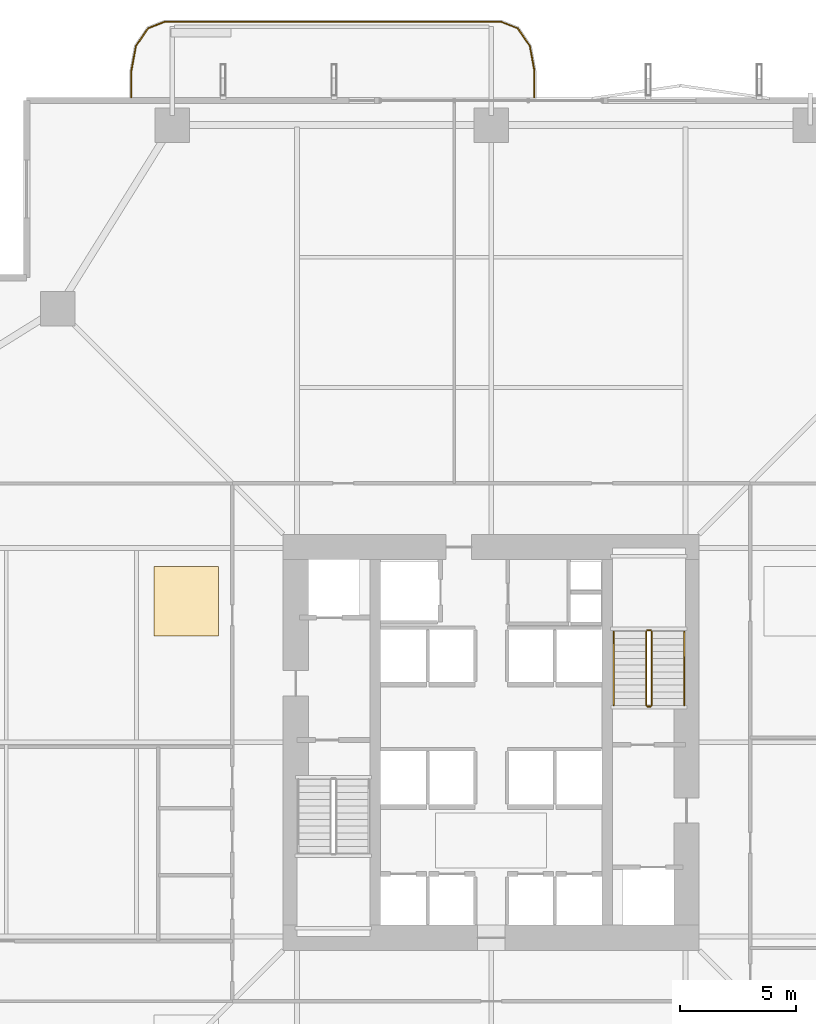
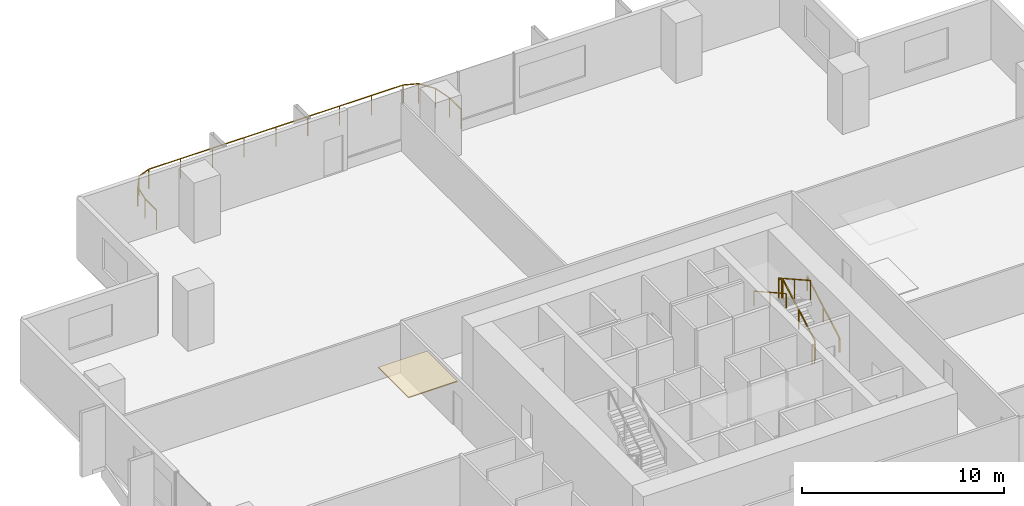
# One storey, part 22 of 23: 7 railings, 1 covering.
"""IFC4 building model written with IfcOpenShell, lengths in metres."""

from ifc_helpers import new_model, si_unit, direction, frame, origin, origin_2d, place, context, subcontext, project, spatial, polyline, rectangle, outline, extrude, material, layer, layer_set, type_object, element, save


model = new_model("IFC4")

# Units and contexts
model_context = context("Model", 3, precision=1e-05, world=origin(), true_north=direction((0.0, 1.0)))
body_context = subcontext(model_context, "Body", "Model", "MODEL_VIEW")
ifc_project = project(units=[si_unit("LENGTHUNIT", "METRE"), si_unit("AREAUNIT", "SQUARE_METRE"), si_unit("VOLUMEUNIT", "CUBIC_METRE"), si_unit("PLANEANGLEUNIT", "RADIAN"), si_unit("MASSUNIT", "GRAM", prefix="KILO")], contexts=[model_context])

# Site, building, storey
site_placement = place(None, origin())
site = spatial("IfcSite", under=ifc_project, at=site_placement, CompositionType="ELEMENT")
building_placement = place(site_placement, origin())
building = spatial("IfcBuilding", under=site, at=building_placement, Name="Belovzor Exchange Tower", CompositionType="ELEMENT")
storey_placement = place(building_placement, frame((0.0, 0.0, 84.60009765625)))
storey = spatial("IfcBuildingStorey", under=building, at=storey_placement, Name="L20", CompositionType="ELEMENT", Elevation=84.60009765625)

# Railings
ifc_material_1 = material(Name="Stainless Steel Grade 304", Category="steel")
railing_type_1 = type_object("IfcRailingType", Name="Brushed Stainless Steel Stair Handrail 900", PredefinedType="HANDRAIL", material=ifc_material_1)
railing_1_placement = place(storey_placement, frame((37.14990234375, 30.39990234375, 0.162353515625)))
element("IfcRailing", 1, at=railing_1_placement, inside=storey, type_object=railing_type_1, Name="L20 ST-2 stair handrail 1", PredefinedType="HANDRAIL", context=body_context, shape_type="SweptSolid", body=[
    extrude(rectangle(XDim=0.048095703125, YDim=0.048095703125, at=origin_2d()), frame((0.0, 0.0, 0.8759765625), z_axis=(0.0, 0.87237847985, 0.488831042279), x_axis=(-1.0, 0.0, 0.0)), (0.0, 0.0, 1.0), 3.656982421875),
    extrude(rectangle(XDim=0.0419921875, YDim=0.0419921875, at=origin_2d()), origin(), (0.0, 0.0, 1.0), 0.851806640625),
    extrude(rectangle(XDim=0.0419921875, YDim=0.0419921875, at=origin_2d()), frame((0.0, 1.59521484375, 0.893798828125)), (0.0, 0.0, 1.0), 0.851806640625),
    extrude(rectangle(XDim=0.0419921875, YDim=0.0419921875, at=origin_2d()), frame((0.0, 3.190185546875, 1.78759765625)), (0.0, 0.0, 1.0), 0.851806640625),
])
railing_2_placement = place(storey_placement, frame((34.10009765625, 33.590087890625, 2.1123046875)))
element("IfcRailing", 2, at=railing_2_placement, inside=storey, type_object=railing_type_1, Name="L20 ST-2 stair handrail 2", PredefinedType="HANDRAIL", context=body_context, shape_type="SweptSolid", body=[
    extrude(rectangle(XDim=0.048095703125, YDim=0.048095703125, at=origin_2d()), frame((0.0, 0.0, 0.8759765625), z_axis=(0.0, -0.87237847985, 0.488831042279), x_axis=(1.0, 0.0, 0.0)), (0.0, 0.0, 1.0), 3.656982421875),
    extrude(rectangle(XDim=0.0419921875, YDim=0.0419921875, at=origin_2d()), origin(), (0.0, 0.0, 1.0), 0.851806640625),
    extrude(rectangle(XDim=0.0419921875, YDim=0.0419921875, at=origin_2d()), frame((0.0, -1.59521484375, 0.893798828125)), (0.0, 0.0, 1.0), 0.851806640625),
    extrude(rectangle(XDim=0.0419921875, YDim=0.0419921875, at=origin_2d()), frame((0.0, -3.190185546875, 1.78759765625)), (0.0, 0.0, 1.0), 0.851806640625),
])
ifc_material_2 = material(Name="Stainless Steel and Laminated Safety Glass", Category="steel")
railing_type_2 = type_object("IfcRailingType", Name="Laminated Glass & Stainless Steel Balcony Balustrade 1200", PredefinedType="BALUSTRADE", material=ifc_material_2)
railing_3_placement = place(storey_placement, frame((30.669921875, 56.7099609375, 0.0)))
element("IfcRailing", 3, at=railing_3_placement, inside=storey, type_object=railing_type_2, Name="GR-1 Balcony Balustrade L20 North", PredefinedType="BALUSTRADE", context=body_context, shape_type="SweptSolid", body=[
    extrude(rectangle(XDim=0.048095703125, YDim=0.048095703125, at=origin_2d()), frame((0.0, 0.0, 1.17578125), z_axis=(0.0, 1.0, 0.0), x_axis=(-1.0, 0.0, 0.0)), (0.0, 0.0, 1.0), 1.133056640625),
    extrude(rectangle(XDim=0.048095703125, YDim=0.048095703125, at=origin_2d()), frame((0.0, 1.133056640625, 1.17578125), z_axis=(-0.180122719713, 0.983644145941, 0.0), x_axis=(-0.983644145941, -0.180122719713, 0.0)), (0.0, 0.0, 1.0), 1.09375),
    extrude(rectangle(XDim=0.048095703125, YDim=0.048095703125, at=origin_2d()), frame((-0.197021484375, 2.208984375, 1.17578125), z_axis=(-0.562768145367, 0.826614792125, 0.0), x_axis=(-0.826614792125, -0.562768145367, 0.0)), (0.0, 0.0, 1.0), 0.9326171875),
    extrude(rectangle(XDim=0.048095703125, YDim=0.048095703125, at=origin_2d()), frame((-0.721923828125, 2.97998046875, 1.17578125), z_axis=(-0.930766990125, 0.365612923861, 0.0), x_axis=(-0.365612923861, -0.930766990125, 0.0)), (0.0, 0.0, 1.0), 0.765869140625),
    extrude(rectangle(XDim=0.048095703125, YDim=0.048095703125, at=origin_2d()), frame((-1.434814453125, 3.260009765625, 1.17578125), z_axis=(-1.0, 0.0, 0.0), x_axis=(0.0, -1.0, 0.0)), (0.0, 0.0, 1.0), 14.570068359375),
    extrude(rectangle(XDim=0.048095703125, YDim=0.048095703125, at=origin_2d()), frame((-16.0048828125, 3.260009765625, 1.17578125), z_axis=(-0.930809580156, -0.365504480807, 0.0), x_axis=(0.365504480807, -0.930809580156, 0.0)), (0.0, 0.0, 1.0), 0.76611328125),
    extrude(rectangle(XDim=0.048095703125, YDim=0.048095703125, at=origin_2d()), frame((-16.718017578125, 2.97998046875, 1.17578125), z_axis=(-0.562768145367, -0.826614792125, 0.0), x_axis=(0.826614792125, -0.562768145367, 0.0)), (0.0, 0.0, 1.0), 0.9326171875),
    extrude(rectangle(XDim=0.048095703125, YDim=0.048095703125, at=origin_2d()), frame((-17.242919921875, 2.208984375, 1.17578125), z_axis=(-0.180122719713, -0.983644145941, 0.0), x_axis=(0.983644145941, -0.180122719713, 0.0)), (0.0, 0.0, 1.0), 1.09375),
    extrude(rectangle(XDim=0.048095703125, YDim=0.048095703125, at=origin_2d()), frame((-17.43994140625, 1.133056640625, 1.17578125), z_axis=(0.0, -1.0, 0.0), x_axis=(1.0, 0.0, 0.0)), (0.0, 0.0, 1.0), 1.133056640625),
    extrude(rectangle(XDim=0.0419921875, YDim=0.0419921875, at=origin_2d()), origin(), (0.0, 0.0, 1.0), 1.15185546875),
    extrude(rectangle(XDim=0.0419921875, YDim=0.0419921875, at=origin_2d()), frame((0.0, 1.133056640625, 0.0)), (0.0, 0.0, 1.0), 1.15185546875),
    extrude(rectangle(XDim=0.0419921875, YDim=0.0419921875, at=origin_2d()), frame((-0.197021484375, 2.208984375, 0.0)), (0.0, 0.0, 1.0), 1.15185546875),
    extrude(rectangle(XDim=0.0419921875, YDim=0.0419921875, at=origin_2d()), frame((-0.721923828125, 2.97998046875, 0.0)), (0.0, 0.0, 1.0), 1.15185546875),
    extrude(rectangle(XDim=0.0419921875, YDim=0.0419921875, at=origin_2d()), frame((-1.434814453125, 3.260009765625, 0.0)), (0.0, 0.0, 1.0), 1.15185546875),
    extrude(rectangle(XDim=0.0419921875, YDim=0.0419921875, at=origin_2d()), frame((-3.256103515625, 3.260009765625, 0.0)), (0.0, 0.0, 1.0), 1.15185546875),
    extrude(rectangle(XDim=0.0419921875, YDim=0.0419921875, at=origin_2d()), frame((-5.077392578125, 3.260009765625, 0.0)), (0.0, 0.0, 1.0), 1.15185546875),
    extrude(rectangle(XDim=0.0419921875, YDim=0.0419921875, at=origin_2d()), frame((-6.898681640625, 3.260009765625, 0.0)), (0.0, 0.0, 1.0), 1.15185546875),
    extrude(rectangle(XDim=0.0419921875, YDim=0.0419921875, at=origin_2d()), frame((-8.7197265625, 3.260009765625, 0.0)), (0.0, 0.0, 1.0), 1.15185546875),
    extrude(rectangle(XDim=0.0419921875, YDim=0.0419921875, at=origin_2d()), frame((-10.541015625, 3.260009765625, 0.0)), (0.0, 0.0, 1.0), 1.15185546875),
    extrude(rectangle(XDim=0.0419921875, YDim=0.0419921875, at=origin_2d()), frame((-12.3623046875, 3.260009765625, 0.0)), (0.0, 0.0, 1.0), 1.15185546875),
    extrude(rectangle(XDim=0.0419921875, YDim=0.0419921875, at=origin_2d()), frame((-14.18359375, 3.260009765625, 0.0)), (0.0, 0.0, 1.0), 1.15185546875),
    extrude(rectangle(XDim=0.0419921875, YDim=0.0419921875, at=origin_2d()), frame((-16.0048828125, 3.260009765625, 0.0)), (0.0, 0.0, 1.0), 1.15185546875),
    extrude(rectangle(XDim=0.0419921875, YDim=0.0419921875, at=origin_2d()), frame((-16.718017578125, 2.97998046875, 0.0)), (0.0, 0.0, 1.0), 1.15185546875),
    extrude(rectangle(XDim=0.0419921875, YDim=0.0419921875, at=origin_2d()), frame((-17.242919921875, 2.208984375, 0.0)), (0.0, 0.0, 1.0), 1.15185546875),
    extrude(rectangle(XDim=0.0419921875, YDim=0.0419921875, at=origin_2d()), frame((-17.43994140625, 1.133056640625, 0.0)), (0.0, 0.0, 1.0), 1.15185546875),
    extrude(rectangle(XDim=0.0419921875, YDim=0.0419921875, at=origin_2d()), frame((-17.43994140625, 0.0, 0.0)), (0.0, 0.0, 1.0), 1.15185546875),
])
ifc_material_3 = material(Name="Steel S355", Category="steel")
railing_type_3 = type_object("IfcRailingType", Name="Painted Steel Stairwell Guardrail 1200", PredefinedType="GUARDRAIL", material=ifc_material_3)
railing_4_placement = place(storey_placement, frame((35.75, 30.39990234375, 0.162353515625)))
element("IfcRailing", 4, at=railing_4_placement, inside=storey, type_object=railing_type_3, Name="L20 ST-2 stair guard 1", PredefinedType="GUARDRAIL", context=body_context, shape_type="SweptSolid", body=[
    extrude(rectangle(XDim=0.048095703125, YDim=0.048095703125, at=origin_2d()), frame((0.0, 0.0, 1.17578125), z_axis=(0.0, 0.87237847985, 0.488831042279), x_axis=(-1.0, 0.0, 0.0)), (0.0, 0.0, 1.0), 3.656982421875),
    extrude(rectangle(XDim=0.0419921875, YDim=0.0419921875, at=origin_2d()), origin(), (0.0, 0.0, 1.0), 1.15185546875),
    extrude(rectangle(XDim=0.0419921875, YDim=0.0419921875, at=origin_2d()), frame((0.0, 1.59521484375, 0.893798828125)), (0.0, 0.0, 1.0), 1.15185546875),
    extrude(rectangle(XDim=0.0419921875, YDim=0.0419921875, at=origin_2d()), frame((0.0, 3.190185546875, 1.78759765625)), (0.0, 0.0, 1.0), 1.15185546875),
])
railing_5_placement = place(storey_placement, frame((35.699951171875, 33.639892578125, 1.949951171875)))
element("IfcRailing", 5, at=railing_5_placement, inside=storey, type_object=railing_type_3, Name="L20 ST-2 stair guard 2", PredefinedType="GUARDRAIL", context=body_context, shape_type="SweptSolid", body=[
    extrude(rectangle(XDim=0.048095703125, YDim=0.048095703125, at=origin_2d()), frame((0.0, 0.0, 1.17578125), z_axis=(-1.0, 0.0, 0.0), x_axis=(0.0, -1.0, 0.0)), (0.0, 0.0, 1.0), 0.14990234375),
    extrude(rectangle(XDim=0.0419921875, YDim=0.0419921875, at=origin_2d()), origin(), (0.0, 0.0, 1.0), 1.15185546875),
    extrude(rectangle(XDim=0.0419921875, YDim=0.0419921875, at=origin_2d()), frame((-0.14990234375, 0.0, 0.0)), (0.0, 0.0, 1.0), 1.15185546875),
])
railing_6_placement = place(storey_placement, frame((35.5, 33.590087890625, 2.1123046875)))
element("IfcRailing", 6, at=railing_6_placement, inside=storey, type_object=railing_type_3, Name="L20 ST-2 stair guard 3", PredefinedType="GUARDRAIL", context=body_context, shape_type="SweptSolid", body=[
    extrude(rectangle(XDim=0.048095703125, YDim=0.048095703125, at=origin_2d()), frame((0.0, 0.0, 1.17578125), z_axis=(0.0, -0.87237847985, 0.488831042279), x_axis=(1.0, 0.0, 0.0)), (0.0, 0.0, 1.0), 3.656982421875),
    extrude(rectangle(XDim=0.0419921875, YDim=0.0419921875, at=origin_2d()), origin(), (0.0, 0.0, 1.0), 1.15185546875),
    extrude(rectangle(XDim=0.0419921875, YDim=0.0419921875, at=origin_2d()), frame((0.0, -1.59521484375, 0.893798828125)), (0.0, 0.0, 1.0), 1.15185546875),
    extrude(rectangle(XDim=0.0419921875, YDim=0.0419921875, at=origin_2d()), frame((0.0, -3.190185546875, 1.78759765625)), (0.0, 0.0, 1.0), 1.15185546875),
])
railing_7_placement = place(storey_placement, frame((35.699951171875, 30.35009765625, 0.0)))
element("IfcRailing", 7, at=railing_7_placement, inside=storey, type_object=railing_type_3, Name="L20 ST-2 stair guard 4", PredefinedType="GUARDRAIL", context=body_context, shape_type="SweptSolid", body=[
    extrude(rectangle(XDim=0.048095703125, YDim=0.048095703125, at=origin_2d()), frame((0.0, 0.0, 1.17578125), z_axis=(-1.0, 0.0, 0.0), x_axis=(0.0, -1.0, 0.0)), (0.0, 0.0, 1.0), 0.14990234375),
    extrude(rectangle(XDim=0.0419921875, YDim=0.0419921875, at=origin_2d()), origin(), (0.0, 0.0, 1.0), 1.15185546875),
    extrude(rectangle(XDim=0.0419921875, YDim=0.0419921875, at=origin_2d()), frame((-0.14990234375, 0.0, 0.0)), (0.0, 0.0, 1.0), 1.15185546875),
])

# Covering
ifc_material_4 = material(Name="Perforated Powder-Coated Aluminium", Category="aluminium")
ifc_layer = layer(ifc_material_4, 0.06005859375)
ifc_layer_set = layer_set([ifc_layer], Name="Perforated Powder-Coated Aluminium")
covering_type = type_object("IfcCoveringType", Name="Perforated Acoustic Metal Tile Suspended Ceiling 60", PredefinedType="CEILING", material=ifc_layer_set)
covering_placement = place(storey_placement, frame((0.0, 0.0, 3.58984375)))
element("IfcCovering", 8, at=covering_placement, inside=storey, type_object=covering_type, Name="CLG-AC60 Suspended Ceiling CLG-L20-Z3", PredefinedType="CEILING", context=body_context, shape_type="SweptSolid", body=[
    extrude(outline(polyline([(14.199951171875, 33.39990234375), (17.0, 33.39990234375), (17.0, 36.39990234375), (14.199951171875, 36.39990234375), (14.199951171875, 33.39990234375)])), origin(), (0.0, 0.0, 1.0), 0.06005859375),
])

save(model, "model.ifc")
